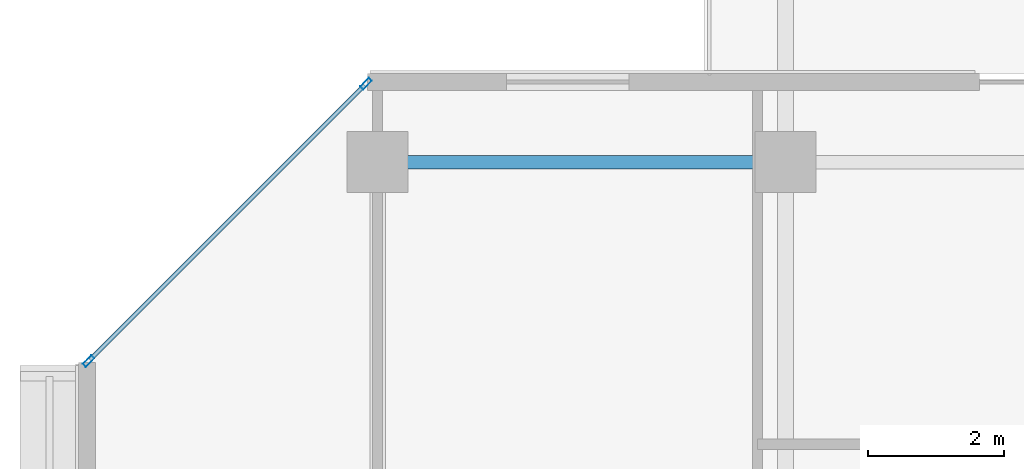
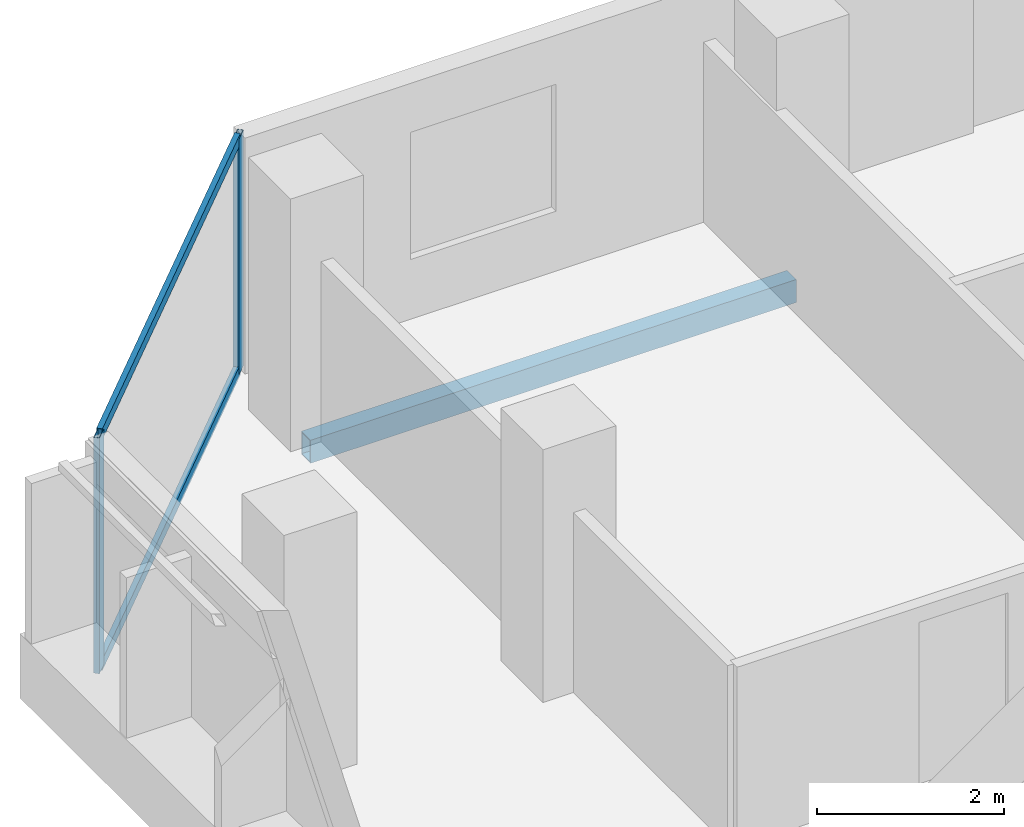
# One storey, part 8 of 29: 4 members, 1 beam, 1 element without a shape of its own.
"""IFC4 building model written with IfcOpenShell, lengths in metres."""

from ifc_helpers import new_model, si_unit, direction, frame, origin, origin_2d, place, context, subcontext, project, spatial, hollow_rectangle, extrude, material, layer, layer_set, material_profile, profile_set, type_object, element, aggregate, save


model = new_model("IFC4")

# Units and contexts
model_context = context("Model", 3, precision=1e-05, world=origin(), true_north=direction((0.0, 1.0)))
body_context = subcontext(model_context, "Body", "Model", "MODEL_VIEW")
ifc_project = project(units=[si_unit("LENGTHUNIT", "METRE"), si_unit("AREAUNIT", "SQUARE_METRE"), si_unit("VOLUMEUNIT", "CUBIC_METRE"), si_unit("PLANEANGLEUNIT", "RADIAN"), si_unit("MASSUNIT", "GRAM", prefix="KILO")], contexts=[model_context])

# Site, building, storey
site_placement = place(None, origin())
site = spatial("IfcSite", under=ifc_project, at=site_placement, CompositionType="ELEMENT")
building_placement = place(site_placement, origin())
building = spatial("IfcBuilding", under=site, at=building_placement, Name="Tanjung Sevakor Pilgrim Tower", CompositionType="ELEMENT")
storey_placement = place(building_placement, frame((0.0, 0.0, 148.5)))
storey = spatial("IfcBuildingStorey", under=building, at=storey_placement, Name="L41", CompositionType="ELEMENT", Elevation=148.5)

# Beam
ifc_material_1 = material(Name="Steel S355J2", Category="steel")
ifc_material_profile_1 = material_profile(ifc_material_1, hollow_rectangle(XDim=0.199951171875, YDim=0.300048828125, WallThickness=0.012451171875, at=origin_2d()))
ifc_profile_set_1 = profile_set([ifc_material_profile_1], Name="Steel S355J2")
beam_type = type_object("IfcBeamType", Name="BM-B-SP3-RHS_300x200x12.5", PredefinedType="SPANDREL", material=ifc_profile_set_1)
beam_placement = place(storey_placement, frame((24.0, 54.0, -0.3701171875), z_axis=(1.0, 0.0, 0.0), x_axis=(0.0, 1.0, 0.0)))
element("IfcBeam", 1, at=beam_placement, inside=storey, type_object=beam_type, Name="L41 Spandrel MAIN N-02", PredefinedType="SPANDREL", context=body_context, shape_type="SweptSolid", body=[
    extrude(hollow_rectangle(XDim=0.199951171875, YDim=0.300048828125, WallThickness=0.012451171875, at=origin_2d()), origin(), (0.0, 0.0, 1.0), 6.0),
])

# Curtain wall, members
ifc_material_2 = material(Name="Aluminium 6063-T6 and Low-E Glass", Category="aluminium")
ifc_layer = layer(ifc_material_2, 0.179931640625)
ifc_layer_set = layer_set([ifc_layer], Name="CW-SYS-CHAM")
curtain_wall_type = type_object("IfcCurtainWallType", Name="CW-SYS-CHAM", PredefinedType="NOTDEFINED", material=ifc_layer_set)
curtain_wall_placement = place(storey_placement, origin())
curtain_wall = element("IfcCurtainWall", 2, at=curtain_wall_placement, inside=storey, type_object=curtain_wall_type, Name="L41 Curtain Wall CW-CHM-L41-MAIN-13", PredefinedType="NOTDEFINED")
ifc_material_3 = material(Name="Aluminium 6063-T6", Category="aluminium")
ifc_material_profile_2 = material_profile(ifc_material_3, hollow_rectangle(XDim=0.06494140625, YDim=0.179931640625, WallThickness=0.00390625, at=origin_2d()))
ifc_profile_set_2 = profile_set([ifc_material_profile_2], Name="Aluminium 6063-T6")
member_type_1 = type_object("IfcMemberType", Name="TYPE-CWM-1", PredefinedType="MULLION", material=ifc_profile_set_2)
member_1_placement = place(storey_placement, frame((23.828857421875, 55.152099609375, 0.0), z_axis=(0.0, 0.0, 1.0), x_axis=(0.707106781187, -0.707106781187, 0.0)))
member_1 = element("IfcMember", 3, at=member_1_placement, type_object=member_type_1, Name="CW-CHM mullion 1", PredefinedType="MULLION", context=body_context, shape_type="SweptSolid", body=[
    extrude(hollow_rectangle(XDim=0.06494140625, YDim=0.179931640625, WallThickness=0.00390625, at=origin_2d()), origin(), (0.0, 0.0, 1.0), 3.080078125),
])
member_2_placement = place(storey_placement, frame((19.748046875, 51.0712890625, 0.0), z_axis=(0.0, 0.0, 1.0), x_axis=(0.707106781187, -0.707106781187, 0.0)))
member_2 = element("IfcMember", 4, at=member_2_placement, type_object=member_type_1, Name="CW-CHM mullion 2", PredefinedType="MULLION", context=body_context, shape_type="SweptSolid", body=[
    extrude(hollow_rectangle(XDim=0.06494140625, YDim=0.179931640625, WallThickness=0.00390625, at=origin_2d()), origin(), (0.0, 0.0, 1.0), 3.080078125),
])
ifc_material_4 = material(Name="Aluminium 6063-T6", Category="aluminium")
ifc_material_profile_3 = material_profile(ifc_material_4, hollow_rectangle(XDim=0.06494140625, YDim=0.139892578125, WallThickness=0.00390625, at=origin_2d()))
ifc_profile_set_3 = profile_set([ifc_material_profile_3], Name="Aluminium 6063-T6")
member_type_2 = type_object("IfcMemberType", Name="TYPE-CWT-1", PredefinedType="USERDEFINED", material=ifc_profile_set_3)
member_3_placement = place(storey_placement, frame((23.805908203125, 55.129150390625, 0.032470703125), z_axis=(-0.707106781187, -0.707106781187, 0.0), x_axis=(0.707106781187, -0.707106781187, 0.0)))
member_3 = element("IfcMember", 5, at=member_3_placement, type_object=member_type_2, Name="CW-CHM transom 1.1", ObjectType="TRANSOM", PredefinedType="USERDEFINED", context=body_context, shape_type="SweptSolid", body=[
    extrude(hollow_rectangle(XDim=0.06494140625, YDim=0.139892578125, WallThickness=0.00390625, at=origin_2d()), origin(), (0.0, 0.0, 1.0), 5.706298828125),
])
member_4_placement = place(storey_placement, frame((23.805908203125, 55.129150390625, 3.047607421875), z_axis=(-0.707106781187, -0.707106781187, 0.0), x_axis=(0.707106781187, -0.707106781187, 0.0)))
member_4 = element("IfcMember", 6, at=member_4_placement, type_object=member_type_2, Name="CW-CHM transom 1.2", ObjectType="TRANSOM", PredefinedType="USERDEFINED", context=body_context, shape_type="SweptSolid", body=[
    extrude(hollow_rectangle(XDim=0.06494140625, YDim=0.139892578125, WallThickness=0.00390625, at=origin_2d()), origin(), (0.0, 0.0, 1.0), 5.706298828125),
])
aggregate(curtain_wall, [member_1, member_2, member_3, member_4])

save(model, "model.ifc")
